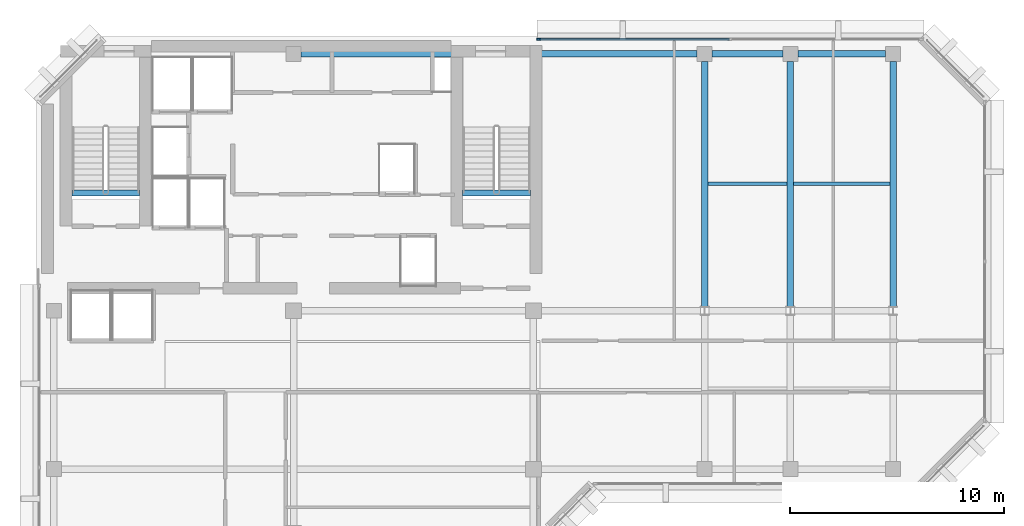
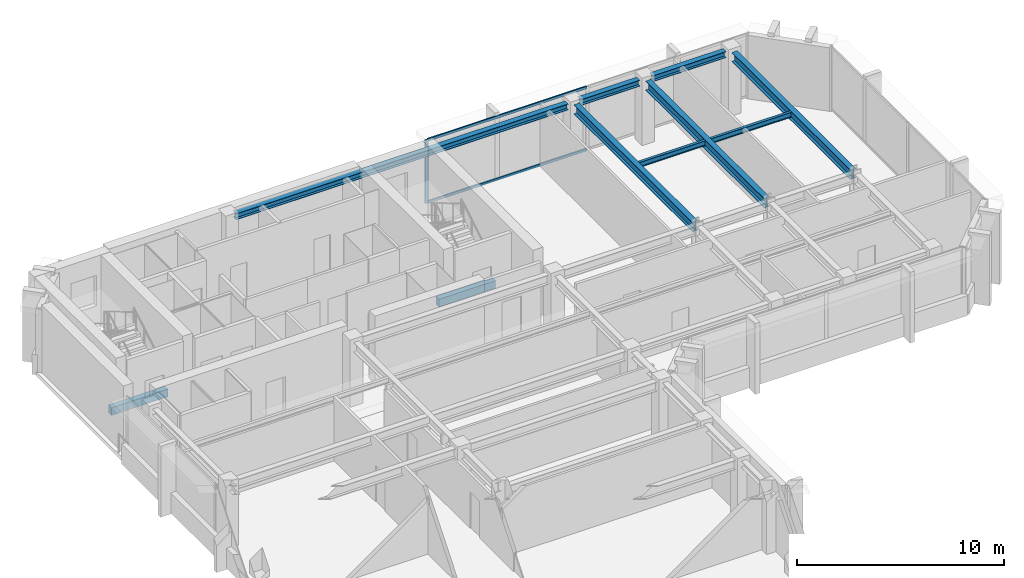
# One storey, part 4 of 11: 10 beams, 3 members, 1 element without a shape of its own.
"""IFC4 building model written with IfcOpenShell, lengths in metres."""

from ifc_helpers import new_model, si_unit, direction, frame, origin, origin_2d, place, context, subcontext, project, spatial, rectangle, i_section, extrude, material, layer, layer_set, material_profile, profile_set, type_object, element, aggregate, save


model = new_model("IFC4")

# Units and contexts
model_context = context("Model", 3, precision=1e-05, world=origin(), true_north=direction((0.0, 1.0)))
body_context = subcontext(model_context, "Body", "Model", "MODEL_VIEW")
ifc_project = project(units=[si_unit("LENGTHUNIT", "METRE"), si_unit("AREAUNIT", "SQUARE_METRE"), si_unit("VOLUMEUNIT", "CUBIC_METRE"), si_unit("PLANEANGLEUNIT", "RADIAN"), si_unit("MASSUNIT", "GRAM", prefix="KILO")], contexts=[model_context])

# Site, building, storey
site_placement = place(None, origin())
site = spatial("IfcSite", under=ifc_project, at=site_placement, CompositionType="ELEMENT")
building_placement = place(site_placement, origin())
building = spatial("IfcBuilding", under=site, at=building_placement, Name="Kefirva Bronze Tower", CompositionType="ELEMENT")
storey_placement = place(building_placement, frame((0.0, 0.0, 299.969970703125)))
storey = spatial("IfcBuildingStorey", under=building, at=storey_placement, Name="L73", CompositionType="ELEMENT", Elevation=299.969970703125)

# Curtain wall, members
ifc_material_1 = material(Name="Bronze anodised aluminium", Category="aluminium")
ifc_layer = layer(ifc_material_1, 0.179931640625, Name="Bronze anodised aluminium")
ifc_layer_set = layer_set([ifc_layer], Name="Bronze anodised aluminium")
curtain_wall_type = type_object("IfcCurtainWallType", Name="Unitised Bronze Ribbon Curtain Wall Zone 4", PredefinedType="USERDEFINED", material=ifc_layer_set)
curtain_wall_placement = place(storey_placement, origin())
curtain_wall = element("IfcCurtainWall", 1, at=curtain_wall_placement, inside=storey, type_object=curtain_wall_type, Name="L73 Curtain Wall 4", ObjectType="UNITISED CURTAIN WALL", PredefinedType="USERDEFINED")
ifc_material_profile_1 = material_profile(ifc_material_1, rectangle(XDim=0.074951171875, YDim=0.179931640625, at=origin_2d()), Name="ALU 75x180")
ifc_profile_set_1 = profile_set([ifc_material_profile_1], Name="Bronze anodised aluminium")
member_type_1 = type_object("IfcMemberType", Name="Bronze Mullion 75x180", PredefinedType="MULLION", material=ifc_profile_set_1)
member_1_placement = place(storey_placement, frame((23.4423828125, 45.8798828125, 0.0), z_axis=(0.0, 0.0, 1.0), x_axis=(0.0, -1.0, 0.0)))
member_1 = element("IfcMember", 2, at=member_1_placement, type_object=member_type_1, Name="CW-04 mullion 3", PredefinedType="MULLION", context=body_context, shape_type="SweptSolid", body=[
    extrude(rectangle(XDim=0.074951171875, YDim=0.179931640625, at=origin_2d()), origin(), (0.0, 0.0, 1.0), 3.739990234375),
])
ifc_material_profile_2 = material_profile(ifc_material_1, rectangle(XDim=0.074951171875, YDim=0.14990234375, at=origin_2d()), Name="ALU 75x150")
ifc_profile_set_2 = profile_set([ifc_material_profile_2], Name="Bronze anodised aluminium")
member_type_2 = type_object("IfcMemberType", Name="Bronze Transom 75x150", PredefinedType="USERDEFINED", material=ifc_profile_set_2)
member_2_placement = place(storey_placement, frame((32.33740234375, 45.8798828125, 0.03759765625), z_axis=(-1.0, 0.0, 0.0), x_axis=(0.0, -1.0, 0.0)))
member_2 = element("IfcMember", 3, at=member_2_placement, type_object=member_type_2, Name="CW-04 transom 2.1", ObjectType="TRANSOM", PredefinedType="USERDEFINED", context=body_context, shape_type="SweptSolid", body=[
    extrude(rectangle(XDim=0.074951171875, YDim=0.14990234375, at=origin_2d()), origin(), (0.0, 0.0, 1.0), 8.857421875),
])
member_3_placement = place(storey_placement, frame((32.33740234375, 45.8798828125, 3.70263671875), z_axis=(-1.0, 0.0, 0.0), x_axis=(0.0, -1.0, 0.0)))
member_3 = element("IfcMember", 4, at=member_3_placement, type_object=member_type_2, Name="CW-04 transom 2.2", ObjectType="TRANSOM", PredefinedType="USERDEFINED", context=body_context, shape_type="SweptSolid", body=[
    extrude(rectangle(XDim=0.074951171875, YDim=0.14990234375, at=origin_2d()), origin(), (0.0, 0.0, 1.0), 8.857421875),
])
aggregate(curtain_wall, [member_1, member_2, member_3])

# Beams
ifc_material_2 = material(Name="Concrete C50/60", Category="concrete")
ifc_material_profile_3 = material_profile(ifc_material_2, rectangle(XDim=0.300048828125, YDim=0.449951171875, at=origin_2d()), Name="RC 300x450")
ifc_profile_set_3 = profile_set([ifc_material_profile_3], Name="Concrete C50/60")
beam_type_1 = type_object("IfcBeamType", Name="RC Stair Trimmer Beam 300x450", PredefinedType="BEAM", material=ifc_profile_set_3)
beam_1_placement = place(storey_placement, frame((1.64501953125, 38.699951171875, -0.224853515625), z_axis=(1.0, 0.0, 0.0), x_axis=(0.0, 1.0, 0.0)))
element("IfcBeam", 5, at=beam_1_placement, inside=storey, type_object=beam_type_1, Name="L73 Stair 1 Landing Trimmer Beam", PredefinedType="BEAM", context=body_context, shape_type="SweptSolid", body=[
    extrude(rectangle(XDim=0.300048828125, YDim=0.449951171875, at=origin_2d()), origin(), (0.0, 0.0, 1.0), 3.14990234375),
])
beam_2_placement = place(storey_placement, frame((19.89501953125, 38.699951171875, -0.224853515625), z_axis=(1.0, 0.0, 0.0), x_axis=(0.0, 1.0, 0.0)))
element("IfcBeam", 6, at=beam_2_placement, inside=storey, type_object=beam_type_1, Name="L73 Stair 2 Landing Trimmer Beam", PredefinedType="BEAM", context=body_context, shape_type="SweptSolid", body=[
    extrude(rectangle(XDim=0.300048828125, YDim=0.449951171875, at=origin_2d()), origin(), (0.0, 0.0, 1.0), 3.159912109375),
])
ifc_material_3 = material(Name="Steel S355", Category="steel")
ifc_material_profile_4 = material_profile(ifc_material_3, i_section(OverallWidth=0.14990234375, OverallDepth=0.300048828125, WebThickness=0.007080078125, FlangeThickness=0.0107421875, at=origin_2d()), Name="IPE 300")
ifc_profile_set_4 = profile_set([ifc_material_profile_4], Name="Steel S355")
beam_type_2 = type_object("IfcBeamType", Name="Steel Floor Joist IPE 300", PredefinedType="JOIST", material=ifc_profile_set_4)
beam_3_placement = place(storey_placement, frame((31.35009765625, 39.12890625, 3.590087890625), z_axis=(1.0, 0.0, 0.0), x_axis=(0.0, 1.0, 0.0)))
element("IfcBeam", 7, at=beam_3_placement, inside=storey, type_object=beam_type_2, Name="L73 JST-L73-31-391", PredefinedType="JOIST", context=body_context, shape_type="SweptSolid", body=[
    extrude(i_section(OverallWidth=0.14990234375, OverallDepth=0.300048828125, WebThickness=0.007080078125, FlangeThickness=0.0107421875, at=origin_2d()), origin(), (0.0, 0.0, 1.0), 3.699951171875),
])
beam_4_placement = place(storey_placement, frame((35.35009765625, 39.12890625, 3.590087890625), z_axis=(1.0, 0.0, 0.0), x_axis=(0.0, 1.0, 0.0)))
element("IfcBeam", 8, at=beam_4_placement, inside=storey, type_object=beam_type_2, Name="L73 JST-L73-35-391", PredefinedType="JOIST", context=body_context, shape_type="SweptSolid", body=[
    extrude(i_section(OverallWidth=0.14990234375, OverallDepth=0.300048828125, WebThickness=0.007080078125, FlangeThickness=0.0107421875, at=origin_2d()), origin(), (0.0, 0.0, 1.0), 4.5),
])
ifc_material_profile_5 = material_profile(ifc_material_3, i_section(OverallWidth=0.300048828125, OverallDepth=0.550048828125, WebThickness=0.014892578125, FlangeThickness=0.029052734375, at=origin_2d()), Name="HEB 550")
ifc_profile_set_5 = profile_set([ifc_material_profile_5], Name="Steel S355")
beam_type_3 = type_object("IfcBeamType", Name="Steel Girder HEB 550", PredefinedType="USERDEFINED", material=ifc_profile_set_5)
for number, where, z_axis, x_axis, name in (
    (9, (31.199951171875, 33.407958984375, 3.465087890625), (0.0, 1.0, 0.0), (-1.0, 0.0, 0.0), "L73 BM-L73-NS-312-33"),
    (10, (35.199951171875, 33.407958984375, 3.465087890625), (0.0, 1.0, 0.0), (-1.0, 0.0, 0.0), "L73 BM-L73-NS-352-33"),
    (11, (40.0, 33.407958984375, 3.465087890625), (0.0, 1.0, 0.0), (-1.0, 0.0, 0.0), "L73 BM-L73-NS-400-33"),
):
    element("IfcBeam", number, at=place(storey_placement, frame(where, z_axis=z_axis, x_axis=x_axis)), inside=storey, type_object=beam_type_3, Name=name, ObjectType="GIRDER", PredefinedType="USERDEFINED", context=body_context, shape_type="SweptSolid", body=[
        extrude(i_section(OverallWidth=0.300048828125, OverallDepth=0.550048828125, WebThickness=0.014892578125, FlangeThickness=0.029052734375, at=origin_2d()), origin(), (0.0, 0.0, 1.0), 11.442138671875),
    ])
ifc_material_profile_6 = material_profile(ifc_material_3, i_section(OverallWidth=0.300048828125, OverallDepth=0.360107421875, WebThickness=0.012451171875, FlangeThickness=0.0224609375, at=origin_2d()), Name="HEB 360")
ifc_profile_set_6 = profile_set([ifc_material_profile_6], Name="Steel S355")
beam_type_4 = type_object("IfcBeamType", Name="Steel Spandrel HEB 360 Ext", PredefinedType="SPANDREL", material=ifc_profile_set_6)
beam_5_placement = place(storey_placement, frame((12.35009765625, 45.199951171875, 3.56005859375), z_axis=(1.0, 0.0, 0.0), x_axis=(0.0, 1.0, 0.0)))
element("IfcBeam", 12, at=beam_5_placement, inside=storey, type_object=beam_type_4, Name="L73 BM-L73-EW-12-452", PredefinedType="SPANDREL", context=body_context, shape_type="SweptSolid", body=[
    extrude(i_section(OverallWidth=0.300048828125, OverallDepth=0.360107421875, WebThickness=0.012451171875, FlangeThickness=0.0224609375, at=origin_2d()), origin(), (0.0, 0.0, 1.0), 18.5),
])
beam_6_placement = place(storey_placement, frame((31.550048828125, 45.199951171875, 3.56005859375), z_axis=(1.0, 0.0, 0.0), x_axis=(0.0, 1.0, 0.0)))
element("IfcBeam", 13, at=beam_6_placement, inside=storey, type_object=beam_type_4, Name="L73 BM-L73-EW-31-452", PredefinedType="SPANDREL", context=body_context, shape_type="SweptSolid", body=[
    extrude(i_section(OverallWidth=0.300048828125, OverallDepth=0.360107421875, WebThickness=0.012451171875, FlangeThickness=0.0224609375, at=origin_2d()), origin(), (0.0, 0.0, 1.0), 3.300048828125),
])
beam_7_placement = place(storey_placement, frame((35.550048828125, 45.199951171875, 3.56005859375), z_axis=(1.0, 0.0, 0.0), x_axis=(0.0, 1.0, 0.0)))
element("IfcBeam", 14, at=beam_7_placement, inside=storey, type_object=beam_type_4, Name="L73 BM-L73-EW-35-452", PredefinedType="SPANDREL", context=body_context, shape_type="SweptSolid", body=[
    extrude(i_section(OverallWidth=0.300048828125, OverallDepth=0.360107421875, WebThickness=0.012451171875, FlangeThickness=0.0224609375, at=origin_2d()), origin(), (0.0, 0.0, 1.0), 4.099853515625),
])

save(model, "model.ifc")
